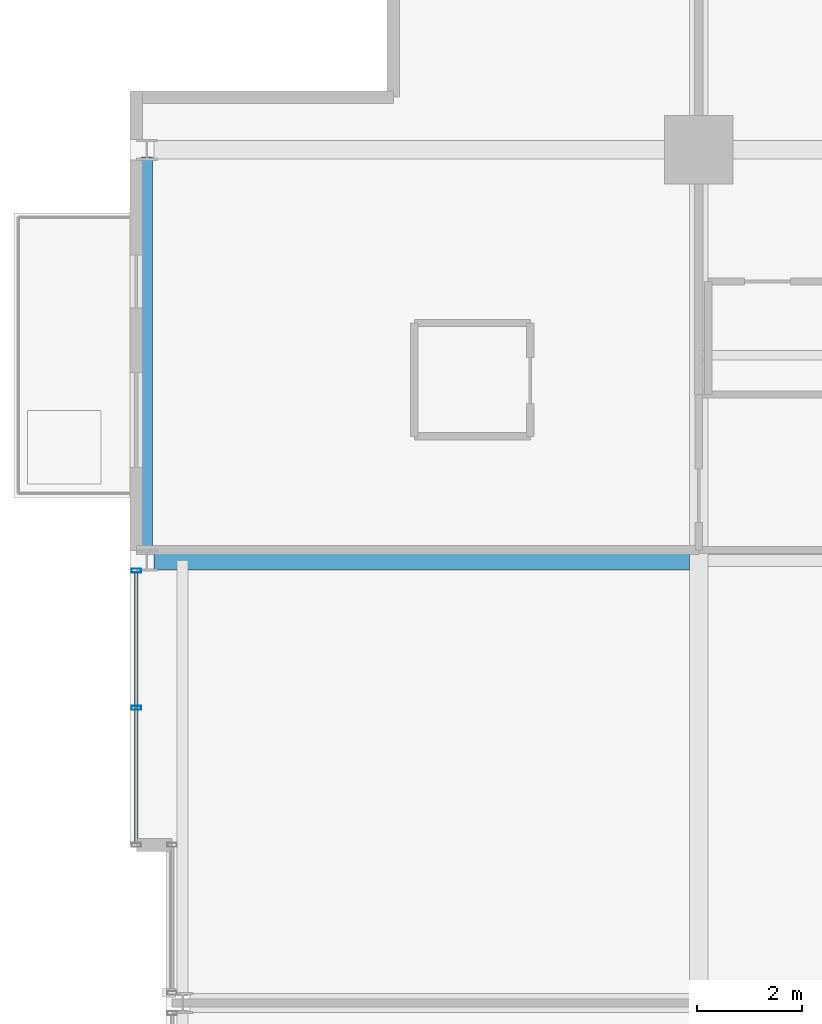
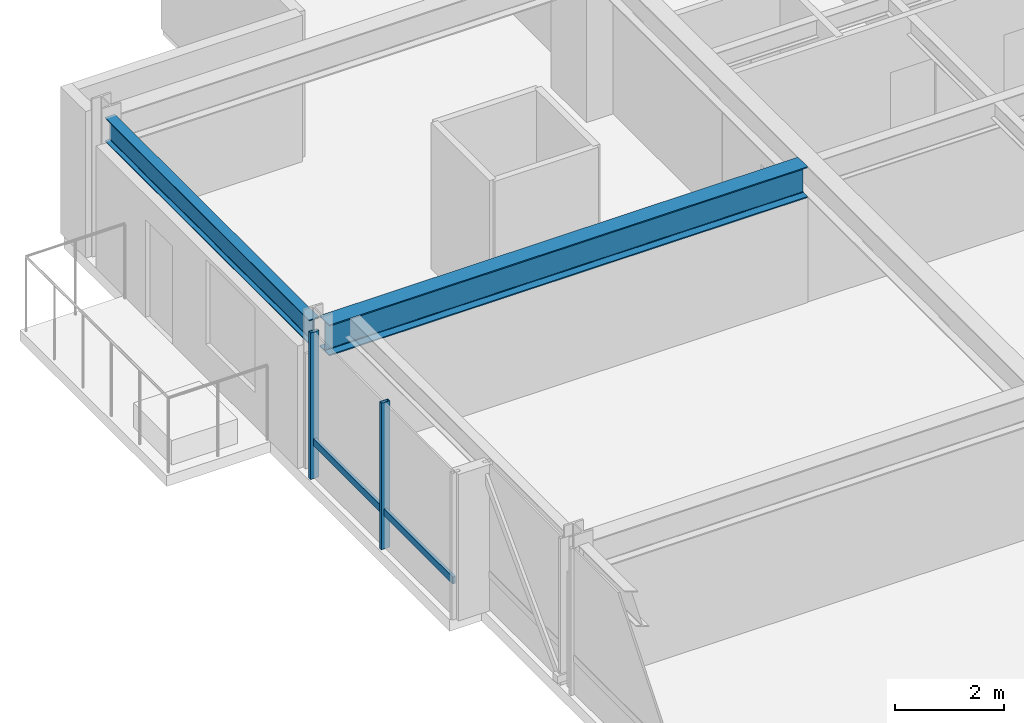
# One storey, part 17 of 32: 3 members, 2 beams, 1 element without a shape of its own.
"""IFC4 building model written with IfcOpenShell, lengths in metres."""

from ifc_helpers import new_model, si_unit, direction, frame, origin, origin_2d, place, context, subcontext, project, spatial, hollow_rectangle, i_section, extrude, material, layer, layer_set, material_profile, profile_set, type_object, element, aggregate, save


model = new_model("IFC4")

# Units and contexts
model_context = context("Model", 3, precision=1e-05, world=origin(), true_north=direction((0.0, 1.0)))
body_context = subcontext(model_context, "Body", "Model", "MODEL_VIEW")
ifc_project = project(units=[si_unit("LENGTHUNIT", "METRE"), si_unit("AREAUNIT", "SQUARE_METRE"), si_unit("VOLUMEUNIT", "CUBIC_METRE"), si_unit("PLANEANGLEUNIT", "RADIAN"), si_unit("MASSUNIT", "GRAM", prefix="KILO")], contexts=[model_context])

# Site, building, storey
site_placement = place(None, origin())
site = spatial("IfcSite", under=ifc_project, at=site_placement, CompositionType="ELEMENT")
building_placement = place(site_placement, origin())
building = spatial("IfcBuilding", under=site, at=building_placement, Name="Drelvath Grand Hotel", CompositionType="ELEMENT")
storey_placement = place(building_placement, frame((0.0, 0.0, 189.449951171875)))
storey = spatial("IfcBuildingStorey", under=building, at=storey_placement, Name="L49", CompositionType="ELEMENT", Elevation=189.449951171875)

# Curtain wall, members
ifc_material_1 = material(Name="Brushed Pale-Silver Anodised Aluminium Frame", Category="aluminium")
ifc_layer = layer(ifc_material_1, 0.199951171875)
ifc_layer_set = layer_set([ifc_layer], Name="Brushed Pale-Silver Anodised Aluminium Frame")
curtain_wall_type = type_object("IfcCurtainWallType", Name="Stick Curtain Wall CW-04 Brushed Silver Upper-Mid", PredefinedType="NOTDEFINED", material=ifc_layer_set)
curtain_wall_placement = place(storey_placement, origin())
curtain_wall = element("IfcCurtainWall", 1, at=curtain_wall_placement, inside=storey, type_object=curtain_wall_type, Name="L49 CW-04 Curtain Wall CW04-L49-WN1", PredefinedType="NOTDEFINED")
ifc_material_profile_1 = material_profile(ifc_material_1, hollow_rectangle(XDim=0.06494140625, YDim=0.159912109375, WallThickness=0.00390625, at=origin_2d()), Name="HSS160X65X4")
ifc_profile_set_1 = profile_set([ifc_material_profile_1], Name="Brushed Pale-Silver Anodised Aluminium Frame")
member_type_1 = type_object("IfcMemberType", Name="Curtain Wall Horizontal Transom CW-04 HSS160X65X4", PredefinedType="USERDEFINED", material=ifc_profile_set_1)
member_1_placement = place(storey_placement, frame((-26.8798828125, 30.0400390625, 0.822509765625), z_axis=(0.0, 1.0, 0.0), x_axis=(-1.0, 0.0, 0.0)))
member_1 = element("IfcMember", 2, at=member_1_placement, type_object=member_type_1, Name="CW04-L49-WN1 Sill Transom", ObjectType="TRANSOM", PredefinedType="USERDEFINED", context=body_context, shape_type="SweptSolid", body=[
    extrude(hollow_rectangle(XDim=0.06494140625, YDim=0.159912109375, WallThickness=0.00390625, at=origin_2d()), origin(), (0.0, 0.0, 1.0), 5.12841796875),
])
ifc_material_profile_2 = material_profile(ifc_material_1, hollow_rectangle(XDim=0.074951171875, YDim=0.179931640625, WallThickness=0.0048828125, at=origin_2d()), Name="HSS180X75X5")
ifc_profile_set_2 = profile_set([ifc_material_profile_2], Name="Brushed Pale-Silver Anodised Aluminium Frame")
member_type_2 = type_object("IfcMemberType", Name="Curtain Wall Vertical Mullion CW-04 HSS180X75X5", PredefinedType="MULLION", material=ifc_profile_set_2)
member_2_placement = place(storey_placement, frame((-26.8798828125, 32.604248046875, 0.0), z_axis=(0.0, 0.0, 1.0), x_axis=(0.0, 1.0, 0.0)))
member_2 = element("IfcMember", 3, at=member_2_placement, type_object=member_type_2, Name="CW04-L49-WN1 Mullion 2", PredefinedType="MULLION", context=body_context, shape_type="SweptSolid", body=[
    extrude(hollow_rectangle(XDim=0.074951171875, YDim=0.179931640625, WallThickness=0.0048828125, at=origin_2d()), origin(), (0.0, 0.0, 1.0), 3.2900390625),
])
member_3_placement = place(storey_placement, frame((-26.8798828125, 35.20849609375, 0.0), z_axis=(0.0, 0.0, 1.0), x_axis=(0.0, 1.0, 0.0)))
member_3 = element("IfcMember", 4, at=member_3_placement, type_object=member_type_2, Name="CW04-L49-WN1 Mullion 3", PredefinedType="MULLION", context=body_context, shape_type="SweptSolid", body=[
    extrude(hollow_rectangle(XDim=0.074951171875, YDim=0.179931640625, WallThickness=0.0048828125, at=origin_2d()), origin(), (0.0, 0.0, 1.0), 3.2900390625),
])
aggregate(curtain_wall, [member_2, member_3, member_1])

# Beams
ifc_material_2 = material(Name="Steel ASTM A992 Gr 50", Category="steel")
ifc_material_profile_3 = material_profile(ifc_material_2, i_section(OverallWidth=0.210205078125, OverallDepth=0.53662109375, WebThickness=0.010986328125, FlangeThickness=0.017333984375, FilletRadius=0.01806640625, at=origin_2d()), Name="W21X68")
ifc_profile_set_3 = profile_set([ifc_material_profile_3], Name="Steel ASTM A992 Gr 50")
beam_type_1 = type_object("IfcBeamType", Name="Perimeter Spandrel Beam W21X68", PredefinedType="SPANDREL", material=ifc_profile_set_3)
beam_1_placement = place(storey_placement, frame((-26.679931640625, 35.5400390625, 3.021728515625), z_axis=(0.0, 1.0, 0.0), x_axis=(-1.0, 0.0, 0.0)))
element("IfcBeam", 5, at=beam_1_placement, inside=storey, type_object=beam_type_1, Name="L49 Spandrel West N", PredefinedType="SPANDREL", context=body_context, shape_type="SweptSolid", body=[
    extrude(i_section(OverallWidth=0.210205078125, OverallDepth=0.53662109375, WebThickness=0.010986328125, FlangeThickness=0.017333984375, FilletRadius=0.01806640625, at=origin_2d()), origin(), (0.0, 0.0, 1.0), 7.52001953125),
])
ifc_material_profile_4 = material_profile(ifc_material_2, i_section(OverallWidth=0.354736328125, OverallDepth=0.695556640625, WebThickness=0.015380859375, FlangeThickness=0.025146484375, FilletRadius=0.02392578125, at=origin_2d()), Name="W27X146")
ifc_profile_set_4 = profile_set([ifc_material_profile_4], Name="Steel ASTM A992 Gr 50")
beam_type_2 = type_object("IfcBeamType", Name="Primary Floor Girder W27X146", PredefinedType="BEAM", material=ifc_profile_set_4)
beam_2_placement = place(storey_placement, frame((-26.5400390625, 35.39990234375, 2.9423828125), z_axis=(1.0, 0.0, 0.0), x_axis=(0.0, 1.0, 0.0)))
element("IfcBeam", 6, at=beam_2_placement, inside=storey, type_object=beam_type_2, Name="L49 West Wing Girder F", PredefinedType="BEAM", context=body_context, shape_type="SweptSolid", body=[
    extrude(i_section(OverallWidth=0.354736328125, OverallDepth=0.695556640625, WebThickness=0.015380859375, FlangeThickness=0.025146484375, FilletRadius=0.02392578125, at=origin_2d()), origin(), (0.0, 0.0, 1.0), 10.16259765625),
])

save(model, "model.ifc")
